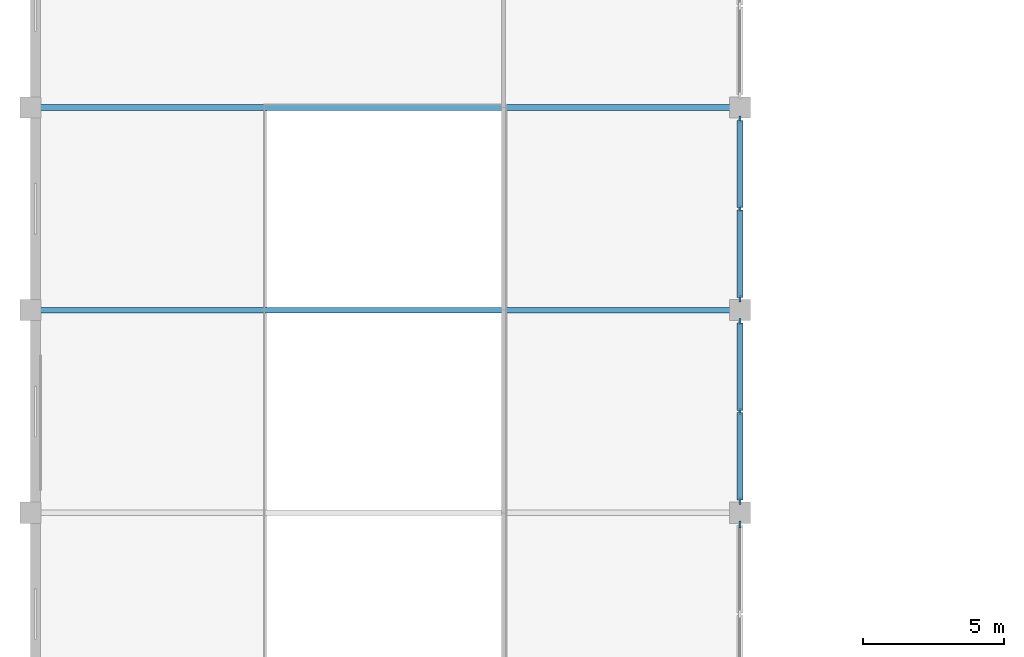
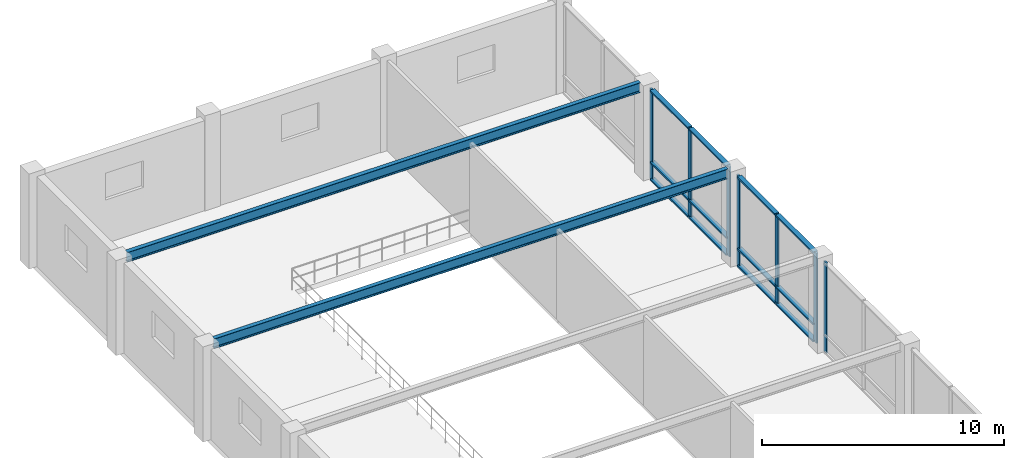
# One storey, part 8 of 51: 19 members, 2 beams, 3 elements without a shape of their own.
"""IFC4 building model written with IfcOpenShell, lengths in metres."""

from ifc_helpers import new_model, si_unit, direction, frame, origin, origin_2d, place, context, subcontext, project, spatial, rectangle, i_section, extrude, material, material_profile, profile_set, type_object, element, aggregate, save


model = new_model("IFC4")

# Units and contexts
model_context = context("Model", 3, precision=1e-05, world=origin(), true_north=direction((0.0, 1.0)))
body_context = subcontext(model_context, "Body", "Model", "MODEL_VIEW")
ifc_project = project(units=[si_unit("LENGTHUNIT", "METRE"), si_unit("AREAUNIT", "SQUARE_METRE"), si_unit("VOLUMEUNIT", "CUBIC_METRE"), si_unit("PLANEANGLEUNIT", "RADIAN"), si_unit("MASSUNIT", "GRAM", prefix="KILO")], contexts=[model_context])

# Site, building, storey
site_placement = place(None, origin())
site = spatial("IfcSite", under=ifc_project, at=site_placement, CompositionType="ELEMENT")
building_placement = place(site_placement, origin())
building = spatial("IfcBuilding", under=site, at=building_placement, Name="Kenerak Square Central Library", CompositionType="ELEMENT")
storey_placement = place(building_placement, frame((0.0, 0.0, 9.60009765625)))
storey = spatial("IfcBuildingStorey", under=building, at=storey_placement, Name="L02", CompositionType="ELEMENT", Elevation=9.60009765625)

# Beams
ifc_material_1 = material(Name="Steel S355", Category="steel")
ifc_material_profile_1 = material_profile(ifc_material_1, i_section(OverallWidth=0.199951171875, OverallDepth=0.5, WebThickness=0.01025390625, FlangeThickness=0.01611328125, FilletRadius=0.02099609375, at=origin_2d()), Name="IPE 500")
ifc_profile_set_1 = profile_set([ifc_material_profile_1], Name="Steel S355")
beam_type = type_object("IfcBeamType", Name="Auditorium Fold Beam SB-07 IPE 500 S355", PredefinedType="BEAM", material=ifc_profile_set_1)
for number, where, z_axis, x_axis, name in (
    (1, (8.340087890625, 60.0, 4.5498046875), (1.0, 0.0, 0.0), (0.0, 1.0, 0.0), "Auditorium Valley Fold Beam SB-07 04"),
    (2, (8.340087890625, 67.199951171875, 4.5498046875), (1.0, 0.0, 0.0), (0.0, 1.0, 0.0), "Auditorium Valley Fold Beam SB-07 05"),
):
    element("IfcBeam", number, at=place(storey_placement, frame(where, z_axis=z_axis, x_axis=x_axis)), inside=storey, type_object=beam_type, Name=name, PredefinedType="BEAM", context=body_context, shape_type="SweptSolid", body=[
        extrude(i_section(OverallWidth=0.199951171875, OverallDepth=0.5, WebThickness=0.01025390625, FlangeThickness=0.01611328125, FilletRadius=0.02099609375, at=origin_2d()), origin(), (0.0, 0.0, 1.0), 24.52001953125),
    ])

# Curtain wall, members
ifc_material_2 = material(Name="Anodised aluminium and solar-control low-E glazing", Category="aluminium")
curtain_wall_type = type_object("IfcCurtainWallType", Name="Curtain Wall CW-V3-64x45 6450x4550", PredefinedType="USERDEFINED", material=ifc_material_2)
curtain_wall_1_placement = place(storey_placement, origin())
curtain_wall_1 = element("IfcCurtainWall", 3, at=curtain_wall_1_placement, inside=storey, type_object=curtain_wall_type, Name="Curtain Wall CW-V3-64x45 L02 0068", ObjectType="CURTAIN WALL", PredefinedType="USERDEFINED")
ifc_material_3 = material(Name="Anodised aluminium 6063-T6", Category="aluminium")
ifc_material_profile_2 = material_profile(ifc_material_3, rectangle(XDim=0.080078125, YDim=0.239990234375, at=origin_2d()), Name="AL MULLION 80x240")
ifc_profile_set_2 = profile_set([ifc_material_profile_2], Name="Anodised aluminium 6063-T6")
member_type_1 = type_object("IfcMemberType", Name="Curtain Mullion CM-04 80x240", PredefinedType="MULLION", material=ifc_profile_set_2)
member_1_placement = place(storey_placement, frame((33.199951171875, 66.784912109375, 0.0), z_axis=(0.0, 0.0, 1.0), x_axis=(1.0, 0.0, 0.0)))
member_1 = element("IfcMember", 4, at=member_1_placement, type_object=member_type_1, Name="CW-V3-64x45 Mullion 1", PredefinedType="MULLION", context=body_context, shape_type="SweptSolid", body=[
    extrude(rectangle(XDim=0.080078125, YDim=0.239990234375, at=origin_2d()), origin(), (0.0, 0.0, 1.0), 4.5498046875),
])
member_2_placement = place(storey_placement, frame((33.199951171875, 63.60009765625, 0.0), z_axis=(0.0, 0.0, 1.0), x_axis=(1.0, 0.0, 0.0)))
member_2 = element("IfcMember", 5, at=member_2_placement, type_object=member_type_1, Name="CW-V3-64x45 Mullion 2", PredefinedType="MULLION", context=body_context, shape_type="SweptSolid", body=[
    extrude(rectangle(XDim=0.080078125, YDim=0.239990234375, at=origin_2d()), origin(), (0.0, 0.0, 1.0), 4.5498046875),
])
member_3_placement = place(storey_placement, frame((33.199951171875, 60.4150390625, 0.0), z_axis=(0.0, 0.0, 1.0), x_axis=(1.0, 0.0, 0.0)))
member_3 = element("IfcMember", 6, at=member_3_placement, type_object=member_type_1, Name="CW-V3-64x45 Mullion 3", PredefinedType="MULLION", context=body_context, shape_type="SweptSolid", body=[
    extrude(rectangle(XDim=0.080078125, YDim=0.239990234375, at=origin_2d()), origin(), (0.0, 0.0, 1.0), 4.5498046875),
])

curtain_wall_2_placement = place(storey_placement, origin())
curtain_wall_2 = element("IfcCurtainWall", 7, at=curtain_wall_2_placement, inside=storey, type_object=curtain_wall_type, Name="Curtain Wall CW-V3-64x45 L02 0069", ObjectType="CURTAIN WALL", PredefinedType="USERDEFINED")
member_4_placement = place(storey_placement, frame((33.199951171875, 59.5849609375, 0.0), z_axis=(0.0, 0.0, 1.0), x_axis=(1.0, 0.0, 0.0)))
member_4 = element("IfcMember", 8, at=member_4_placement, type_object=member_type_1, Name="CW-V3-64x45 Mullion 1", PredefinedType="MULLION", context=body_context, shape_type="SweptSolid", body=[
    extrude(rectangle(XDim=0.080078125, YDim=0.239990234375, at=origin_2d()), origin(), (0.0, 0.0, 1.0), 4.5498046875),
])
member_5_placement = place(storey_placement, frame((33.199951171875, 56.39990234375, 0.0), z_axis=(0.0, 0.0, 1.0), x_axis=(1.0, 0.0, 0.0)))
member_5 = element("IfcMember", 9, at=member_5_placement, type_object=member_type_1, Name="CW-V3-64x45 Mullion 2", PredefinedType="MULLION", context=body_context, shape_type="SweptSolid", body=[
    extrude(rectangle(XDim=0.080078125, YDim=0.239990234375, at=origin_2d()), origin(), (0.0, 0.0, 1.0), 4.5498046875),
])
member_6_placement = place(storey_placement, frame((33.199951171875, 53.215087890625, 0.0), z_axis=(0.0, 0.0, 1.0), x_axis=(1.0, 0.0, 0.0)))
member_6 = element("IfcMember", 10, at=member_6_placement, type_object=member_type_1, Name="CW-V3-64x45 Mullion 3", PredefinedType="MULLION", context=body_context, shape_type="SweptSolid", body=[
    extrude(rectangle(XDim=0.080078125, YDim=0.239990234375, at=origin_2d()), origin(), (0.0, 0.0, 1.0), 4.5498046875),
])

# Curtain wall, member
curtain_wall_3_placement = place(storey_placement, origin())
curtain_wall_3 = element("IfcCurtainWall", 11, at=curtain_wall_3_placement, inside=storey, type_object=curtain_wall_type, Name="Curtain Wall CW-V3-64x45 L02 0070", ObjectType="CURTAIN WALL", PredefinedType="USERDEFINED")
member_7_placement = place(storey_placement, frame((33.199951171875, 52.385009765625, 0.0), z_axis=(0.0, 0.0, 1.0), x_axis=(1.0, 0.0, 0.0)))
member_7 = element("IfcMember", 12, at=member_7_placement, type_object=member_type_1, Name="CW-V3-64x45 Mullion 1", PredefinedType="MULLION", context=body_context, shape_type="SweptSolid", body=[
    extrude(rectangle(XDim=0.080078125, YDim=0.239990234375, at=origin_2d()), origin(), (0.0, 0.0, 1.0), 4.5498046875),
])
aggregate(curtain_wall_3, [member_7])

# Member
ifc_material_profile_3 = material_profile(ifc_material_3, rectangle(XDim=0.219970703125, YDim=0.080078125, at=origin_2d()), Name="AL TRANSOM 220x80")
ifc_profile_set_3 = profile_set([ifc_material_profile_3], Name="Anodised aluminium 6063-T6")
member_type_2 = type_object("IfcMemberType", Name="Curtain Transom CT-14 220x80", PredefinedType="USERDEFINED", material=ifc_profile_set_3)
member_8_placement = place(storey_placement, frame((33.199951171875, 66.7451171875, 0.039794921875), z_axis=(0.0, -1.0, 0.0), x_axis=(1.0, 0.0, 0.0)))
member_8 = element("IfcMember", 13, at=member_8_placement, type_object=member_type_2, Name="CW-V3-64x45 Transom 1.1", ObjectType="TRANSOM", PredefinedType="USERDEFINED", context=body_context, shape_type="SweptSolid", body=[
    extrude(rectangle(XDim=0.219970703125, YDim=0.080078125, at=origin_2d()), origin(), (0.0, 0.0, 1.0), 3.105224609375),
])

member_9_placement = place(storey_placement, frame((33.199951171875, 66.7451171875, 0.89990234375), z_axis=(0.0, -1.0, 0.0), x_axis=(1.0, 0.0, 0.0)))
member_9 = element("IfcMember", 14, at=member_9_placement, type_object=member_type_2, Name="CW-V3-64x45 Transom 1.2", ObjectType="TRANSOM", PredefinedType="USERDEFINED", context=body_context, shape_type="SweptSolid", body=[
    extrude(rectangle(XDim=0.219970703125, YDim=0.080078125, at=origin_2d()), origin(), (0.0, 0.0, 1.0), 3.105224609375),
])

member_10_placement = place(storey_placement, frame((33.199951171875, 66.7451171875, 4.510009765625), z_axis=(0.0, -1.0, 0.0), x_axis=(1.0, 0.0, 0.0)))
member_10 = element("IfcMember", 15, at=member_10_placement, type_object=member_type_2, Name="CW-V3-64x45 Transom 1.3", ObjectType="TRANSOM", PredefinedType="USERDEFINED", context=body_context, shape_type="SweptSolid", body=[
    extrude(rectangle(XDim=0.219970703125, YDim=0.080078125, at=origin_2d()), origin(), (0.0, 0.0, 1.0), 3.105224609375),
])

member_11_placement = place(storey_placement, frame((33.199951171875, 63.56005859375, 0.039794921875), z_axis=(0.0, -1.0, 0.0), x_axis=(1.0, 0.0, 0.0)))
member_11 = element("IfcMember", 16, at=member_11_placement, type_object=member_type_2, Name="CW-V3-64x45 Transom 2.1", ObjectType="TRANSOM", PredefinedType="USERDEFINED", context=body_context, shape_type="SweptSolid", body=[
    extrude(rectangle(XDim=0.219970703125, YDim=0.080078125, at=origin_2d()), origin(), (0.0, 0.0, 1.0), 3.10498046875),
])

member_12_placement = place(storey_placement, frame((33.199951171875, 63.56005859375, 0.89990234375), z_axis=(0.0, -1.0, 0.0), x_axis=(1.0, 0.0, 0.0)))
member_12 = element("IfcMember", 17, at=member_12_placement, type_object=member_type_2, Name="CW-V3-64x45 Transom 2.2", ObjectType="TRANSOM", PredefinedType="USERDEFINED", context=body_context, shape_type="SweptSolid", body=[
    extrude(rectangle(XDim=0.219970703125, YDim=0.080078125, at=origin_2d()), origin(), (0.0, 0.0, 1.0), 3.10498046875),
])

member_13_placement = place(storey_placement, frame((33.199951171875, 63.56005859375, 4.510009765625), z_axis=(0.0, -1.0, 0.0), x_axis=(1.0, 0.0, 0.0)))
member_13 = element("IfcMember", 18, at=member_13_placement, type_object=member_type_2, Name="CW-V3-64x45 Transom 2.3", ObjectType="TRANSOM", PredefinedType="USERDEFINED", context=body_context, shape_type="SweptSolid", body=[
    extrude(rectangle(XDim=0.219970703125, YDim=0.080078125, at=origin_2d()), origin(), (0.0, 0.0, 1.0), 3.10498046875),
])

aggregate(curtain_wall_1, [member_1, member_2, member_3, member_8, member_9, member_10, member_11, member_12, member_13])

member_14_placement = place(storey_placement, frame((33.199951171875, 59.544921875, 0.039794921875), z_axis=(0.0, -1.0, 0.0), x_axis=(1.0, 0.0, 0.0)))
member_14 = element("IfcMember", 19, at=member_14_placement, type_object=member_type_2, Name="CW-V3-64x45 Transom 1.1", ObjectType="TRANSOM", PredefinedType="USERDEFINED", context=body_context, shape_type="SweptSolid", body=[
    extrude(rectangle(XDim=0.219970703125, YDim=0.080078125, at=origin_2d()), origin(), (0.0, 0.0, 1.0), 3.10498046875),
])

member_15_placement = place(storey_placement, frame((33.199951171875, 59.544921875, 0.89990234375), z_axis=(0.0, -1.0, 0.0), x_axis=(1.0, 0.0, 0.0)))
member_15 = element("IfcMember", 20, at=member_15_placement, type_object=member_type_2, Name="CW-V3-64x45 Transom 1.2", ObjectType="TRANSOM", PredefinedType="USERDEFINED", context=body_context, shape_type="SweptSolid", body=[
    extrude(rectangle(XDim=0.219970703125, YDim=0.080078125, at=origin_2d()), origin(), (0.0, 0.0, 1.0), 3.10498046875),
])

member_16_placement = place(storey_placement, frame((33.199951171875, 59.544921875, 4.510009765625), z_axis=(0.0, -1.0, 0.0), x_axis=(1.0, 0.0, 0.0)))
member_16 = element("IfcMember", 21, at=member_16_placement, type_object=member_type_2, Name="CW-V3-64x45 Transom 1.3", ObjectType="TRANSOM", PredefinedType="USERDEFINED", context=body_context, shape_type="SweptSolid", body=[
    extrude(rectangle(XDim=0.219970703125, YDim=0.080078125, at=origin_2d()), origin(), (0.0, 0.0, 1.0), 3.10498046875),
])

member_17_placement = place(storey_placement, frame((33.199951171875, 56.360107421875, 0.039794921875), z_axis=(0.0, -1.0, 0.0), x_axis=(1.0, 0.0, 0.0)))
member_17 = element("IfcMember", 22, at=member_17_placement, type_object=member_type_2, Name="CW-V3-64x45 Transom 2.1", ObjectType="TRANSOM", PredefinedType="USERDEFINED", context=body_context, shape_type="SweptSolid", body=[
    extrude(rectangle(XDim=0.219970703125, YDim=0.080078125, at=origin_2d()), origin(), (0.0, 0.0, 1.0), 3.105224609375),
])

member_18_placement = place(storey_placement, frame((33.199951171875, 56.360107421875, 0.89990234375), z_axis=(0.0, -1.0, 0.0), x_axis=(1.0, 0.0, 0.0)))
member_18 = element("IfcMember", 23, at=member_18_placement, type_object=member_type_2, Name="CW-V3-64x45 Transom 2.2", ObjectType="TRANSOM", PredefinedType="USERDEFINED", context=body_context, shape_type="SweptSolid", body=[
    extrude(rectangle(XDim=0.219970703125, YDim=0.080078125, at=origin_2d()), origin(), (0.0, 0.0, 1.0), 3.105224609375),
])

member_19_placement = place(storey_placement, frame((33.199951171875, 56.360107421875, 4.510009765625), z_axis=(0.0, -1.0, 0.0), x_axis=(1.0, 0.0, 0.0)))
member_19 = element("IfcMember", 24, at=member_19_placement, type_object=member_type_2, Name="CW-V3-64x45 Transom 2.3", ObjectType="TRANSOM", PredefinedType="USERDEFINED", context=body_context, shape_type="SweptSolid", body=[
    extrude(rectangle(XDim=0.219970703125, YDim=0.080078125, at=origin_2d()), origin(), (0.0, 0.0, 1.0), 3.105224609375),
])

aggregate(curtain_wall_2, [member_4, member_5, member_6, member_14, member_15, member_16, member_17, member_18, member_19])

save(model, "model.ifc")
